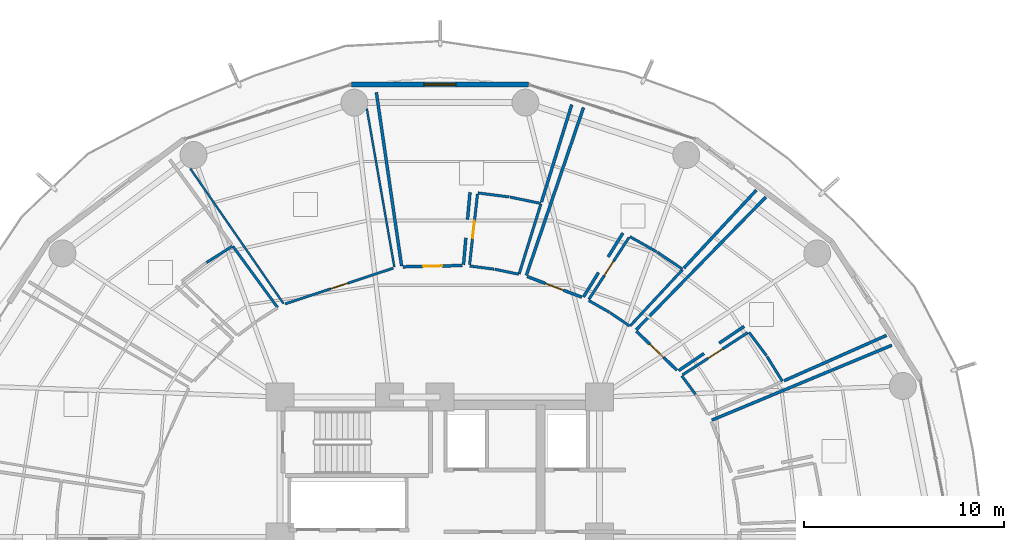
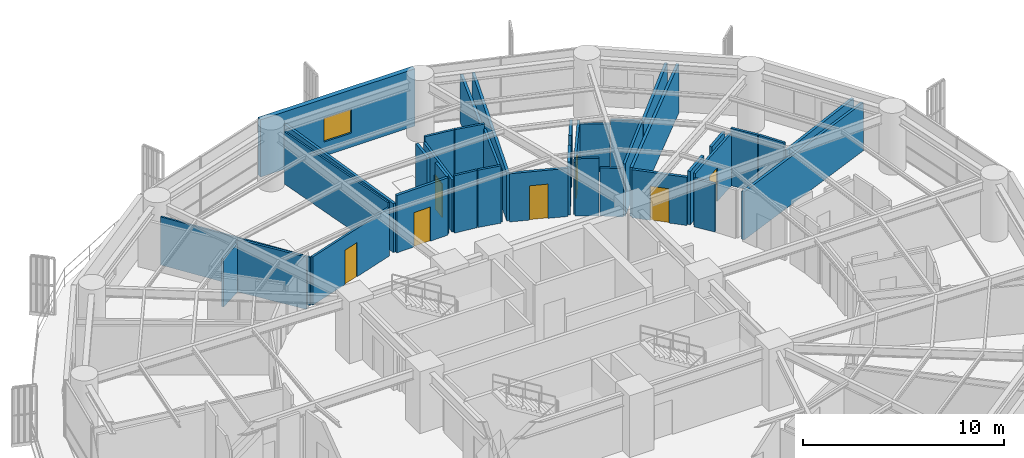
# One storey, part 30 of 35: 38 walls, 7 doors, 1 window, 8 openings.
"""IFC4 building model written with IfcOpenShell, lengths in metres."""

from ifc_helpers import new_model, si_unit, direction, frame, frame_2d, origin, place, context, subcontext, project, spatial, rectangle, extrude, material, layer, layer_set, type_object, element, fill, save


model = new_model("IFC4")

# Units and contexts
model_context = context("Model", 3, precision=1e-05, world=origin(), true_north=direction((0.0, 1.0)))
body_context = subcontext(model_context, "Body", "Model", "MODEL_VIEW")
ifc_project = project(units=[si_unit("LENGTHUNIT", "METRE"), si_unit("AREAUNIT", "SQUARE_METRE"), si_unit("VOLUMEUNIT", "CUBIC_METRE"), si_unit("PLANEANGLEUNIT", "RADIAN"), si_unit("MASSUNIT", "GRAM", prefix="KILO")], contexts=[model_context])

# Site, building, storey
site_placement = place(None, origin())
site = spatial("IfcSite", under=ifc_project, at=site_placement, CompositionType="ELEMENT")
building_placement = place(site_placement, origin())
building = spatial("IfcBuilding", under=site, at=building_placement, Name="Kelanora Arch Commons", CompositionType="ELEMENT")
storey_placement = place(building_placement, frame((0.0, 0.0, 91.35009765625)))
storey = spatial("IfcBuildingStorey", under=building, at=storey_placement, Name="L23", CompositionType="ELEMENT", Elevation=91.35009765625)

# Wall, opening, door
ifc_material_1 = material(Name="Autoclaved aerated concrete blockwork with fire plaster", Category="masonry")
ifc_layer_1 = layer(ifc_material_1, 0.14990234375)
ifc_layer_set_1 = layer_set([ifc_layer_1], Name="Autoclaved aerated concrete blockwork with fire plaster")
wall_type_1 = type_object("IfcWallType", Name="W-COMP-150", PredefinedType="PARTITIONING", material=ifc_layer_set_1)
wall_1_placement = place(storey_placement, frame((85.881591796875, 66.33740234375, 0.0), z_axis=(0.0, 0.0, 1.0), x_axis=(-0.721698326825, 0.692207718144, 0.0)))
wall_1 = element("IfcWall", 1, at=wall_1_placement, inside=storey, type_object=wall_type_1, Name="Co-Living Studio L23-01 Entry Partition", PredefinedType="PARTITIONING", context=body_context, shape_type="SweptSolid", body=[
    extrude(rectangle(XDim=2.822998046875, YDim=0.14990234375, at=frame_2d((1.41162109375, 0.0))), origin(), (0.0, 0.0, 1.0), 2.9248046875),
])
opening_1_placement = place(wall_1_placement, frame((0.93603515625, 0.0, 0.0)))
opening_1 = element("IfcOpeningElement", 2, at=opening_1_placement, cuts=wall_1, Name="Opening D-CLU1", PredefinedType="OPENING", context=body_context, shape_type="SweptSolid", body=[
    extrude(rectangle(XDim=0.949951171875, YDim=2.080078125, at=frame_2d((0.47509765625, 1.0400390625))), frame((0.0, 0.0849609375, 0.0), z_axis=(0.0, -1.0, 0.0), x_axis=(1.0, 0.0, 0.0)), (0.0, 0.0, 1.0), 0.169921875),
])
ifc_material_2 = material(Name="Solid-core acoustic timber cluster entry fire door", Category="wood")
door_type_1 = type_object("IfcDoorType", Name="D-CLU-95", OperationType="NOTDEFINED", PredefinedType="DOOR", material=ifc_material_2)
door_1_placement = place(opening_1_placement, origin())
door_1 = element("IfcDoor", 3, at=door_1_placement, inside=storey, type_object=door_type_1, Name="Co-Living Studio L23-01 Door", OperationType="SINGLE_SWING_LEFT", OverallHeight=2.080078125, OverallWidth=0.949951171875, PredefinedType="DOOR", context=body_context, shape_type="SweptSolid", body=[
    extrude(rectangle(XDim=0.949951171875, YDim=2.080078125, at=frame_2d((0.47509765625, 1.0400390625))), frame((0.0, 0.02490234375, 0.0), z_axis=(0.0, -1.0, 0.0), x_axis=(1.0, 0.0, 0.0)), (0.0, 0.0, 1.0), 0.050048828125),
])
fill(opening_1, door_1)

wall_2_placement = place(storey_placement, frame((81.116943359375, 69.999267578125, 0.0), z_axis=(0.0, 0.0, 1.0), x_axis=(-0.935632349103, 0.352976071868, 0.0)))
wall_2 = element("IfcWall", 4, at=wall_2_placement, inside=storey, type_object=wall_type_1, Name="Co-Living Studio L23-02 Entry Partition", PredefinedType="PARTITIONING", context=body_context, shape_type="SweptSolid", body=[
    extrude(rectangle(XDim=2.9306640625, YDim=0.14990234375, at=frame_2d((1.46533203125, 0.0))), origin(), (0.0, 0.0, 1.0), 2.9248046875),
])
opening_2_placement = place(wall_2_placement, frame((0.989990234375, 0.0, 0.0)))
opening_2 = element("IfcOpeningElement", 5, at=opening_2_placement, cuts=wall_2, Name="Opening D-CLU1", PredefinedType="OPENING", context=body_context, shape_type="SweptSolid", body=[
    extrude(rectangle(XDim=0.949951171875, YDim=2.080078125, at=frame_2d((0.47509765625, 1.0400390625))), frame((0.0, 0.0849609375, 0.0), z_axis=(0.0, -1.0, 0.0), x_axis=(1.0, 0.0, 0.0)), (0.0, 0.0, 1.0), 0.169921875),
])
door_2_placement = place(opening_2_placement, origin())
door_2 = element("IfcDoor", 6, at=door_2_placement, inside=storey, type_object=door_type_1, Name="Co-Living Studio L23-02 Door", OperationType="SINGLE_SWING_LEFT", OverallHeight=2.080078125, OverallWidth=0.949951171875, PredefinedType="DOOR", context=body_context, shape_type="SweptSolid", body=[
    extrude(rectangle(XDim=0.949951171875, YDim=2.080078125, at=frame_2d((0.47509765625, 1.0400390625))), frame((0.0, 0.02490234375, 0.0), z_axis=(0.0, -1.0, 0.0), x_axis=(1.0, 0.0, 0.0)), (0.0, 0.0, 1.0), 0.050048828125),
])
fill(opening_2, door_2)

wall_3_placement = place(storey_placement, frame((75.12109375, 71.586669921875, 0.0), z_axis=(0.0, 0.0, 1.0), x_axis=(-0.999757617916, -0.022016026426, 0.0)))
wall_3 = element("IfcWall", 7, at=wall_3_placement, inside=storey, type_object=wall_type_1, Name="Co-Living Studio L23-03 Entry Partition", PredefinedType="PARTITIONING", context=body_context, shape_type="SweptSolid", body=[
    extrude(rectangle(XDim=2.971923828125, YDim=0.14990234375, at=frame_2d((1.48583984375, 0.0))), origin(), (0.0, 0.0, 1.0), 3.47998046875),
])
opening_3_placement = place(wall_3_placement, frame((1.010986328125, 0.0, 0.0)))
opening_3 = element("IfcOpeningElement", 8, at=opening_3_placement, cuts=wall_3, Name="Opening D-CLU1", PredefinedType="OPENING", context=body_context, shape_type="SweptSolid", body=[
    extrude(rectangle(XDim=0.949951171875, YDim=2.080078125, at=frame_2d((0.47509765625, 1.0400390625))), frame((0.0, 0.0849609375, 0.0), z_axis=(0.0, -1.0, 0.0), x_axis=(1.0, 0.0, 0.0)), (0.0, 0.0, 1.0), 0.169921875),
])
door_3_placement = place(opening_3_placement, origin())
door_3 = element("IfcDoor", 9, at=door_3_placement, inside=storey, type_object=door_type_1, Name="Co-Living Studio L23-03 Door", OperationType="SINGLE_SWING_LEFT", OverallHeight=2.080078125, OverallWidth=0.949951171875, PredefinedType="DOOR", context=body_context, shape_type="SweptSolid", body=[
    extrude(rectangle(XDim=0.949951171875, YDim=2.080078125, at=frame_2d((0.47509765625, 1.0400390625))), frame((0.0, 0.02490234375, 0.0), z_axis=(0.0, -1.0, 0.0), x_axis=(1.0, 0.0, 0.0)), (0.0, 0.0, 1.0), 0.050048828125),
])
fill(opening_3, door_3)

# Walls
wall_4_placement = place(storey_placement, frame((83.828857421875, 68.361572265625, 0.0), z_axis=(0.0, 0.0, 1.0), x_axis=(0.698749209364, 0.715366718833, 0.0)))
element("IfcWall", 10, at=wall_4_placement, inside=storey, type_object=wall_type_1, Name="Co-Living Studio L23-01 Enclosure Partition 2", PredefinedType="PARTITIONING", context=body_context, shape_type="SweptSolid", body=[
    extrude(rectangle(XDim=9.2998046875, YDim=0.14990234375, at=frame_2d((4.64990234375, 0.0))), origin(), (0.0, 0.0, 1.0), 2.974853515625),
])
wall_5_placement = place(storey_placement, frame((96.369384765625, 68.084716796875, 0.0), z_axis=(0.0, 0.0, 1.0), x_axis=(-0.914319955381, -0.404992616219, 0.0)))
element("IfcWall", 11, at=wall_5_placement, inside=storey, type_object=wall_type_1, Name="Co-Living Studio L23-01 Enclosure Partition 5", PredefinedType="PARTITIONING", context=body_context, shape_type="SweptSolid", body=[
    extrude(rectangle(XDim=5.615966796875, YDim=0.14990234375, at=frame_2d((2.80810546875, 0.0))), origin(), (0.0, 0.0, 1.0), 2.974853515625),
])
wall_6_placement = place(storey_placement, frame((89.240966796875, 68.53662109375, 0.0), z_axis=(0.0, 0.0, 1.0), x_axis=(-0.828582854192, -0.559866460631, 0.0)))
element("IfcWall", 12, at=wall_6_placement, inside=storey, type_object=wall_type_1, Name="Co-Living Studio L23-01 Enclosure Partition 7", PredefinedType="PARTITIONING", context=body_context, shape_type="SweptSolid", body=[
    extrude(rectangle(XDim=1.501708984375, YDim=0.14990234375, at=frame_2d((0.7509765625, 0.0))), origin(), (0.0, 0.0, 1.0), 3.1748046875),
])
wall_7_placement = place(storey_placement, frame((87.23388671875, 67.1806640625, 0.0), z_axis=(0.0, 0.0, 1.0), x_axis=(-0.828521381114, -0.559957427879, 0.0)))
element("IfcWall", 13, at=wall_7_placement, inside=storey, type_object=wall_type_1, Name="Co-Living Studio L23-01 Enclosure Partition 7", PredefinedType="PARTITIONING", context=body_context, shape_type="SweptSolid", body=[
    extrude(rectangle(XDim=1.5400390625, YDim=0.14990234375, at=frame_2d((0.77001953125, 0.0))), origin(), (0.0, 0.0, 1.0), 3.23486328125),
])
wall_8_placement = place(storey_placement, frame((78.331787109375, 71.093017578125, 0.0), z_axis=(0.0, 0.0, 1.0), x_axis=(0.322500856516, 0.946569172088, 0.0)))
element("IfcWall", 14, at=wall_8_placement, inside=storey, type_object=wall_type_1, Name="Co-Living Studio L23-02 Enclosure Partition 2", PredefinedType="PARTITIONING", context=body_context, shape_type="SweptSolid", body=[
    extrude(rectangle(XDim=8.875244140625, YDim=0.14990234375, at=frame_2d((4.4375, 0.0))), origin(), (0.0, 0.0, 1.0), 2.9248046875),
])
wall_9_placement = place(storey_placement, frame((89.85791015625, 75.36669921875, 0.0), z_axis=(0.0, 0.0, 1.0), x_axis=(-0.680841843483, -0.732430463704, 0.0)))
element("IfcWall", 15, at=wall_9_placement, inside=storey, type_object=wall_type_1, Name="Co-Living Studio L23-02 Enclosure Partition 5", PredefinedType="PARTITIONING", context=body_context, shape_type="SweptSolid", body=[
    extrude(rectangle(XDim=5.343017578125, YDim=0.14990234375, at=frame_2d((2.67138671875, 0.0))), origin(), (0.0, 0.0, 1.0), 2.974853515625),
])
wall_10_placement = place(storey_placement, frame((83.1669921875, 73.2099609375, 0.0), z_axis=(0.0, 0.0, 1.0), x_axis=(-0.525107327047, -0.8510360128, 0.0)))
element("IfcWall", 16, at=wall_10_placement, inside=storey, type_object=wall_type_1, Name="Co-Living Studio L23-02 Enclosure Partition 7", PredefinedType="PARTITIONING", context=body_context, shape_type="SweptSolid", body=[
    extrude(rectangle(XDim=1.40234375, YDim=0.14990234375, at=frame_2d((0.701171875, 0.0))), origin(), (0.0, 0.0, 1.0), 3.1748046875),
])
wall_11_placement = place(storey_placement, frame((81.947509765625, 71.2333984375, 0.0), z_axis=(0.0, 0.0, 1.0), x_axis=(-0.52498935376, -0.851108793539, 0.0)))
element("IfcWall", 17, at=wall_11_placement, inside=storey, type_object=wall_type_1, Name="Co-Living Studio L23-02 Enclosure Partition 7", PredefinedType="PARTITIONING", context=body_context, shape_type="SweptSolid", body=[
    extrude(rectangle(XDim=1.43505859375, YDim=0.14990234375, at=frame_2d((0.717529296875, 0.0))), origin(), (0.0, 0.0, 1.0), 3.23486328125),
])
wall_12_placement = place(storey_placement, frame((72.084228515625, 71.5595703125, 0.0), z_axis=(0.0, 0.0, 1.0), x_axis=(-0.143952208647, 0.989584640961, 0.0)))
element("IfcWall", 18, at=wall_12_placement, inside=storey, type_object=wall_type_1, Name="Co-Living Studio L23-03 Enclosure Partition 2", PredefinedType="PARTITIONING", context=body_context, shape_type="SweptSolid", body=[
    extrude(rectangle(XDim=8.790283203125, YDim=0.14990234375, at=frame_2d((4.39501953125, 0.0))), origin(), (0.0, 0.0, 1.0), 2.974853515625),
])
wall_13_placement = place(storey_placement, frame((80.606201171875, 79.644775390625, 0.0), z_axis=(0.0, 0.0, 1.0), x_axis=(-0.2966895532, -0.954973983427, 0.0)))
element("IfcWall", 19, at=wall_13_placement, inside=storey, type_object=wall_type_1, Name="Co-Living Studio L23-03 Enclosure Partition 5", PredefinedType="PARTITIONING", context=body_context, shape_type="SweptSolid", body=[
    extrude(rectangle(XDim=5.104248046875, YDim=0.14990234375, at=frame_2d((2.55224609375, 0.0))), origin(), (0.0, 0.0, 1.0), 2.9248046875),
])
wall_14_placement = place(storey_placement, frame((75.50830078125, 75.253173828125, 0.0), z_axis=(0.0, 0.0, 1.0), x_axis=(-0.088846600374, -0.996045321058, 0.0)))
element("IfcWall", 20, at=wall_14_placement, inside=storey, type_object=wall_type_1, Name="Co-Living Studio L23-03 Enclosure Partition 7", PredefinedType="PARTITIONING", context=body_context, shape_type="SweptSolid", body=[
    extrude(rectangle(XDim=1.368408203125, YDim=0.14990234375, at=frame_2d((0.68408203125, 0.0))), origin(), (0.0, 0.0, 1.0), 3.1748046875),
])
wall_15_placement = place(storey_placement, frame((75.3046875, 72.973388671875, 0.0), z_axis=(0.0, 0.0, 1.0), x_axis=(-0.088906327267, -0.996039991653, 0.0)))
element("IfcWall", 21, at=wall_15_placement, inside=storey, type_object=wall_type_1, Name="Co-Living Studio L23-03 Enclosure Partition 7", PredefinedType="PARTITIONING", context=body_context, shape_type="SweptSolid", body=[
    extrude(rectangle(XDim=1.35107421875, YDim=0.14990234375, at=frame_2d((0.675537109375, 0.0))), origin(), (0.0, 0.0, 1.0), 3.47998046875),
])
wall_16_placement = place(storey_placement, frame((87.625, 63.84033203125, 0.0), z_axis=(0.0, 0.0, 1.0), x_axis=(0.92321744991, 0.384277946521, 0.0)))
element("IfcWall", 22, at=wall_16_placement, inside=storey, type_object=wall_type_1, Name="Co-Living Studio L23-15 Enclosure Partition 2", PredefinedType="PARTITIONING", context=body_context, shape_type="SweptSolid", body=[
    extrude(rectangle(XDim=9.76171875, YDim=0.14990234375, at=frame_2d((4.880859375, 0.0))), origin(), (0.0, 0.0, 1.0), 2.9248046875),
])

# Wall, opening, window
ifc_material_3 = material(Name="Precast concrete C40/50 with terracotta rainscreen", Category="masonry")
ifc_layer_2 = layer(ifc_material_3, 0.260009765625)
ifc_layer_set_2 = layer_set([ifc_layer_2], Name="Precast concrete C40/50 with terracotta rainscreen")
wall_type_2 = type_object("IfcWallType", Name="W-EXT-TC", PredefinedType="SOLIDWALL", material=ifc_layer_set_2)
wall_17_placement = place(storey_placement, frame((78.430419921875, 80.650634765625, 0.0), z_axis=(0.0, 0.0, 1.0), x_axis=(-1.0, 0.0, 0.0)))
wall_17 = element("IfcWall", 23, at=wall_17_placement, inside=storey, type_object=wall_type_2, Name="Terracotta Exterior Wall L23-B04", PredefinedType="SOLIDWALL", context=body_context, shape_type="SweptSolid", body=[
    extrude(rectangle(XDim=8.86083984375, YDim=0.260009765625, at=frame_2d((4.430419921875, 0.0))), origin(), (0.0, 0.0, 1.0), 3.474853515625),
])
opening_4_placement = place(wall_17_placement, frame((3.6298828125, 0.0, 0.85009765625)))
opening_4 = element("IfcOpeningElement", 24, at=opening_4_placement, cuts=wall_17, Name="Opening WN-01", PredefinedType="OPENING", context=body_context, shape_type="SweptSolid", body=[
    extrude(rectangle(XDim=1.60009765625, YDim=1.449951171875, at=frame_2d((0.800048828125, 0.72509765625))), frame((0.0, 0.14013671875, 0.0), z_axis=(0.0, -1.0, 0.0), x_axis=(1.0, 0.0, 0.0)), (0.0, 0.0, 1.0), 0.280029296875),
])
ifc_material_4 = material(Name="Terracotta-anodised aluminium frame with operable low-E glazing", Category="masonry")
window_type = type_object("IfcWindowType", Name="WIN-CL-18", PartitioningType="DOUBLE_PANEL_VERTICAL", PredefinedType="WINDOW", material=ifc_material_4)
window_placement = place(opening_4_placement, origin())
window = element("IfcWindow", 25, at=window_placement, inside=storey, type_object=window_type, Name="Co-Living Operable Window L23-B04", OverallHeight=1.449951171875, OverallWidth=1.60009765625, PartitioningType="SINGLE_PANEL", PredefinedType="WINDOW", context=body_context, shape_type="SweptSolid", body=[
    extrude(rectangle(XDim=1.60009765625, YDim=1.449951171875, at=frame_2d((0.800048828125, 0.72509765625))), frame((0.0, 0.030029296875, 0.0), z_axis=(0.0, -1.0, 0.0), x_axis=(1.0, 0.0, 0.0)), (0.0, 0.0, 1.0), 0.06005859375),
])
fill(opening_4, window)

# Walls
ifc_material_5 = material(Name="Lightweight fire-rated acoustic stud partition")
ifc_layer_3 = layer(ifc_material_5, 0.10009765625)
ifc_layer_set_3 = layer_set([ifc_layer_3], Name="Lightweight fire-rated acoustic stud partition")
wall_type_3 = type_object("IfcWallType", Name="W-PART-100", PredefinedType="PARTITIONING", material=ifc_layer_set_3)
wall_18_placement = place(storey_placement, frame((66.169189453125, 69.678955078125, 0.0), z_axis=(0.0, 0.0, 1.0), x_axis=(-0.568250117639, 0.822855882766, 0.0)))
element("IfcWall", 26, at=wall_18_placement, inside=storey, type_object=wall_type_3, Name="Communal Dining and Social Hall L23-04 Enclosure Partition 2", PredefinedType="PARTITIONING", context=body_context, shape_type="SweptSolid", body=[
    extrude(rectangle(XDim=8.216796875, YDim=0.10009765625, at=frame_2d((4.1083984375, 0.0))), origin(), (0.0, 0.0, 1.0), 2.9248046875),
])
wall_19_placement = place(storey_placement, frame((70.342529296875, 79.435791015625, 0.0), z_axis=(0.0, 0.0, 1.0), x_axis=(0.171306583965, -0.985217769983, 0.0)))
element("IfcWall", 27, at=wall_19_placement, inside=storey, type_object=wall_type_3, Name="Communal Dining and Social Hall L23-04 Enclosure Partition 4", PredefinedType="PARTITIONING", context=body_context, shape_type="SweptSolid", body=[
    extrude(rectangle(XDim=8.042236328125, YDim=0.10009765625, at=frame_2d((4.02099609375, 0.0))), origin(), (0.0, 0.0, 1.0), 3.1748046875),
])

# Wall, opening, door
ifc_material_6 = material(Name="Acoustic twin-stud fire-rated gypsum partition")
ifc_layer_4 = layer(ifc_material_6, 0.1201171875)
ifc_layer_set_4 = layer_set([ifc_layer_4], Name="Acoustic twin-stud fire-rated gypsum partition")
wall_type_4 = type_object("IfcWallType", Name="W-PART-120", PredefinedType="PARTITIONING", material=ifc_layer_set_4)
wall_20_placement = place(storey_placement, frame((71.669921875, 71.4541015625, 0.0), z_axis=(0.0, 0.0, 1.0), x_axis=(-0.949607265123, -0.313442246716, 0.0)))
wall_20 = element("IfcWall", 28, at=wall_20_placement, inside=storey, type_object=wall_type_4, Name="Communal Dining and Social Hall L23-04 Entry Partition", PredefinedType="PARTITIONING", context=body_context, shape_type="SweptSolid", body=[
    extrude(rectangle(XDim=5.70849609375, YDim=0.1201171875, at=frame_2d((2.854248046875, 0.0))), origin(), (0.0, 0.0, 1.0), 2.9248046875),
])
opening_5_placement = place(wall_20_placement, frame((2.404052734375, 0.0, 0.0)))
opening_5 = element("IfcOpeningElement", 29, at=opening_5_placement, cuts=wall_20, Name="Opening D-RM1", PredefinedType="OPENING", context=body_context, shape_type="SweptSolid", body=[
    extrude(rectangle(XDim=0.89990234375, YDim=2.080078125, at=frame_2d((0.449951171875, 1.0400390625))), frame((0.0, 0.070068359375, 0.0), z_axis=(0.0, -1.0, 0.0), x_axis=(1.0, 0.0, 0.0)), (0.0, 0.0, 1.0), 0.14013671875),
])
ifc_material_7 = material(Name="Acoustic fire-rated timber study and lounge door", Category="wood")
door_type_2 = type_object("IfcDoorType", Name="D-ROOM-90", OperationType="NOTDEFINED", PredefinedType="DOOR", material=ifc_material_7)
door_4_placement = place(opening_5_placement, origin())
door_4 = element("IfcDoor", 30, at=door_4_placement, inside=storey, type_object=door_type_2, Name="Communal Dining and Social Hall L23-04 Door", OperationType="SINGLE_SWING_RIGHT", OverallHeight=2.080078125, OverallWidth=0.89990234375, PredefinedType="DOOR", context=body_context, shape_type="SweptSolid", body=[
    extrude(rectangle(XDim=0.89990234375, YDim=2.080078125, at=frame_2d((0.449951171875, 1.0400390625))), frame((0.0, 0.02490234375, 0.0), z_axis=(0.0, -1.0, 0.0), x_axis=(1.0, 0.0, 0.0)), (0.0, 0.0, 1.0), 0.050048828125),
])
fill(opening_5, door_4)

ifc_material_8 = material(Name="Moisture-resistant fire-rated cement-board plumbing wall")
ifc_layer_5 = layer(ifc_material_8, 0.1298828125)
ifc_layer_set_5 = layer_set([ifc_layer_5], Name="Moisture-resistant fire-rated cement-board plumbing wall")
wall_type_5 = type_object("IfcWallType", Name="W-WET-120", PredefinedType="PLUMBINGWALL", material=ifc_layer_set_5)
wall_21_placement = place(storey_placement, frame((86.156494140625, 66.110595703125, 0.0), z_axis=(0.0, 0.0, 1.0), x_axis=(0.839597088747, 0.543209654339, 0.0)))
wall_21 = element("IfcWall", 31, at=wall_21_placement, inside=storey, type_object=wall_type_5, Name="En-Suite Shower WC L23-01 Entry Partition", PredefinedType="PLUMBINGWALL", context=body_context, shape_type="SweptSolid", body=[
    extrude(rectangle(XDim=3.891357421875, YDim=0.1298828125, at=frame_2d((1.94580078125, 0.0))), origin(), (0.0, 0.0, 1.0), 3.1748046875),
])
opening_6_placement = place(wall_21_placement, frame((1.51611328125, 0.0, 0.0)))
opening_6 = element("IfcOpeningElement", 32, at=opening_6_placement, cuts=wall_21, Name="Opening D-BT1", PredefinedType="OPENING", context=body_context, shape_type="SweptSolid", body=[
    extrude(rectangle(XDim=0.860107421875, YDim=2.050048828125, at=frame_2d((0.43017578125, 1.02490234375))), frame((0.0, 0.074951171875, 0.0), z_axis=(0.0, -1.0, 0.0), x_axis=(1.0, 0.0, 0.0)), (0.0, 0.0, 1.0), 0.14990234375),
])
ifc_material_9 = material(Name="Moisture-sealed fire-rated accessible bathroom door")
door_type_3 = type_object("IfcDoorType", Name="D-BATH-85", OperationType="NOTDEFINED", PredefinedType="DOOR", material=ifc_material_9)
door_5_placement = place(opening_6_placement, origin())
door_5 = element("IfcDoor", 33, at=door_5_placement, inside=storey, type_object=door_type_3, Name="En-Suite Shower WC L23-01 Door", OperationType="SINGLE_SWING_RIGHT", OverallHeight=2.050048828125, OverallWidth=0.860107421875, PredefinedType="DOOR", context=body_context, shape_type="SweptSolid", body=[
    extrude(rectangle(XDim=0.860107421875, YDim=2.050048828125, at=frame_2d((0.43017578125, 1.02490234375))), frame((0.0, 0.02490234375, 0.0), z_axis=(0.0, -1.0, 0.0), x_axis=(1.0, 0.0, 0.0)), (0.0, 0.0, 1.0), 0.050048828125),
])
fill(opening_6, door_5)

wall_22_placement = place(storey_placement, frame((81.469482421875, 69.8955078125, 0.0), z_axis=(0.0, 0.0, 1.0), x_axis=(0.543429789712, 0.839454622748, 0.0)))
wall_22 = element("IfcWall", 34, at=wall_22_placement, inside=storey, type_object=wall_type_5, Name="En-Suite Shower WC L23-02 Entry Partition", PredefinedType="PLUMBINGWALL", context=body_context, shape_type="SweptSolid", body=[
    extrude(rectangle(XDim=3.685791015625, YDim=0.1298828125, at=frame_2d((1.8427734375, 0.0))), origin(), (0.0, 0.0, 1.0), 3.1748046875),
])
opening_7_placement = place(wall_22_placement, frame((1.4130859375, 0.0, 0.0)))
opening_7 = element("IfcOpeningElement", 35, at=opening_7_placement, cuts=wall_22, Name="Opening D-BT1", PredefinedType="OPENING", context=body_context, shape_type="SweptSolid", body=[
    extrude(rectangle(XDim=0.860107421875, YDim=2.050048828125, at=frame_2d((0.43017578125, 1.02490234375))), frame((0.0, 0.074951171875, 0.0), z_axis=(0.0, -1.0, 0.0), x_axis=(1.0, 0.0, 0.0)), (0.0, 0.0, 1.0), 0.14990234375),
])
door_6_placement = place(opening_7_placement, origin())
door_6 = element("IfcDoor", 36, at=door_6_placement, inside=storey, type_object=door_type_3, Name="En-Suite Shower WC L23-02 Door", OperationType="SINGLE_SWING_RIGHT", OverallHeight=2.050048828125, OverallWidth=0.860107421875, PredefinedType="DOOR", context=body_context, shape_type="SweptSolid", body=[
    extrude(rectangle(XDim=0.860107421875, YDim=2.050048828125, at=frame_2d((0.43017578125, 1.02490234375))), frame((0.0, 0.02490234375, 0.0), z_axis=(0.0, -1.0, 0.0), x_axis=(1.0, 0.0, 0.0)), (0.0, 0.0, 1.0), 0.050048828125),
])
fill(opening_7, door_6)

wall_23_placement = place(storey_placement, frame((75.48779296875, 71.62353515625, 0.0), z_axis=(0.0, 0.0, 1.0), x_axis=(0.111853147635, 0.993724747284, 0.0)))
wall_23 = element("IfcWall", 37, at=wall_23_placement, inside=storey, type_object=wall_type_5, Name="En-Suite Shower WC L23-03 Entry Partition", PredefinedType="PLUMBINGWALL", context=body_context, shape_type="SweptSolid", body=[
    extrude(rectangle(XDim=3.562255859375, YDim=0.1298828125, at=frame_2d((1.78125, 0.0))), origin(), (0.0, 0.0, 1.0), 3.1748046875),
])
opening_8_placement = place(wall_23_placement, frame((1.35107421875, 0.0, 0.0)))
opening_8 = element("IfcOpeningElement", 38, at=opening_8_placement, cuts=wall_23, Name="Opening D-BT1", PredefinedType="OPENING", context=body_context, shape_type="SweptSolid", body=[
    extrude(rectangle(XDim=0.860107421875, YDim=2.050048828125, at=frame_2d((0.43017578125, 1.02490234375))), frame((0.0, 0.074951171875, 0.0), z_axis=(0.0, -1.0, 0.0), x_axis=(1.0, 0.0, 0.0)), (0.0, 0.0, 1.0), 0.14990234375),
])
door_7_placement = place(opening_8_placement, origin())
door_7 = element("IfcDoor", 39, at=door_7_placement, inside=storey, type_object=door_type_3, Name="En-Suite Shower WC L23-03 Door", OperationType="SINGLE_SWING_RIGHT", OverallHeight=2.050048828125, OverallWidth=0.860107421875, PredefinedType="DOOR", context=body_context, shape_type="SweptSolid", body=[
    extrude(rectangle(XDim=0.860107421875, YDim=2.050048828125, at=frame_2d((0.43017578125, 1.02490234375))), frame((0.0, 0.02490234375, 0.0), z_axis=(0.0, -1.0, 0.0), x_axis=(1.0, 0.0, 0.0)), (0.0, 0.0, 1.0), 0.050048828125),
])
fill(opening_8, door_7)

# Walls
wall_24_placement = place(storey_placement, frame((86.800048828125, 65.14208984375, 0.0), z_axis=(0.0, 0.0, 1.0), x_axis=(-0.595625136946, 0.803262532574, 0.0)))
element("IfcWall", 40, at=wall_24_placement, inside=storey, type_object=wall_type_5, Name="En-Suite Shower WC L23-01 Enclosure Partition 2", PredefinedType="PLUMBINGWALL", context=body_context, shape_type="SweptSolid", body=[
    extrude(rectangle(XDim=1.145263671875, YDim=0.1298828125, at=frame_2d((0.57275390625, 0.0))), origin(), (0.0, 0.0, 1.0), 2.9248046875),
])
wall_25_placement = place(storey_placement, frame((89.486083984375, 68.240966796875, 0.0), z_axis=(0.0, 0.0, 1.0), x_axis=(0.598215175904, -0.801335512328, 0.0)))
element("IfcWall", 41, at=wall_25_placement, inside=storey, type_object=wall_type_5, Name="En-Suite Shower WC L23-01 Enclosure Partition 4", PredefinedType="PLUMBINGWALL", context=body_context, shape_type="SweptSolid", body=[
    extrude(rectangle(XDim=1.467529296875, YDim=0.1298828125, at=frame_2d((0.73388671875, 0.0))), origin(), (0.0, 0.0, 1.0), 3.47998046875),
])
wall_26_placement = place(storey_placement, frame((90.386474609375, 67.031982421875, 0.0), z_axis=(0.0, 0.0, 1.0), x_axis=(0.525910281035, -0.850540049793, 0.0)))
element("IfcWall", 42, at=wall_26_placement, inside=storey, type_object=wall_type_5, Name="En-Suite Shower WC L23-01 Enclosure Partition 5", PredefinedType="PLUMBINGWALL", context=body_context, shape_type="SweptSolid", body=[
    extrude(rectangle(XDim=1.456787109375, YDim=0.1298828125, at=frame_2d((0.728515625, 0.0))), origin(), (0.0, 0.0, 1.0), 3.47998046875),
])
wall_27_placement = place(storey_placement, frame((83.50341796875, 68.558349609375, 0.0), z_axis=(0.0, 0.0, 1.0), x_axis=(-0.826715543633, 0.56262012932, 0.0)))
element("IfcWall", 43, at=wall_27_placement, inside=storey, type_object=wall_type_5, Name="En-Suite Shower WC L23-02 Enclosure Partition 1", PredefinedType="PLUMBINGWALL", context=body_context, shape_type="SweptSolid", body=[
    extrude(rectangle(XDim=1.184326171875, YDim=0.1298828125, at=frame_2d((0.59228515625, 0.0))), origin(), (0.0, 0.0, 1.0), 2.9248046875),
])
wall_28_placement = place(storey_placement, frame((82.490478515625, 69.245849609375, 0.0), z_axis=(0.0, 0.0, 1.0), x_axis=(-0.869224537935, 0.494417538778, 0.0)))
element("IfcWall", 44, at=wall_28_placement, inside=storey, type_object=wall_type_5, Name="En-Suite Shower WC L23-02 Enclosure Partition 2", PredefinedType="PLUMBINGWALL", context=body_context, shape_type="SweptSolid", body=[
    extrude(rectangle(XDim=1.192138671875, YDim=0.1298828125, at=frame_2d((0.59619140625, 0.0))), origin(), (0.0, 0.0, 1.0), 3.47998046875),
])
wall_29_placement = place(storey_placement, frame((83.5224609375, 73.0302734375, 0.0), z_axis=(0.0, 0.0, 1.0), x_axis=(0.870915556508, -0.491432694713, 0.0)))
element("IfcWall", 45, at=wall_29_placement, inside=storey, type_object=wall_type_5, Name="En-Suite Shower WC L23-02 Enclosure Partition 4", PredefinedType="PLUMBINGWALL", context=body_context, shape_type="SweptSolid", body=[
    extrude(rectangle(XDim=1.533203125, YDim=0.1298828125, at=frame_2d((0.7666015625, 0.0))), origin(), (0.0, 0.0, 1.0), 2.9248046875),
])
wall_30_placement = place(storey_placement, frame((84.8916015625, 72.255859375, 0.0), z_axis=(0.0, 0.0, 1.0), x_axis=(0.828476223524, -0.560024237917, 0.0)))
element("IfcWall", 46, at=wall_30_placement, inside=storey, type_object=wall_type_5, Name="En-Suite Shower WC L23-02 Enclosure Partition 5", PredefinedType="PLUMBINGWALL", context=body_context, shape_type="SweptSolid", body=[
    extrude(rectangle(XDim=1.5205078125, YDim=0.1298828125, at=frame_2d((0.76025390625, 0.0))), origin(), (0.0, 0.0, 1.0), 3.1748046875),
])
wall_31_placement = place(storey_placement, frame((86.154296875, 71.37841796875, 0.0), z_axis=(0.0, 0.0, 1.0), x_axis=(-0.681137169266, -0.732155828116, 0.0)))
element("IfcWall", 47, at=wall_31_placement, inside=storey, type_object=wall_type_5, Name="En-Suite Shower WC L23-02 Enclosure Partition 6", PredefinedType="PLUMBINGWALL", context=body_context, shape_type="SweptSolid", body=[
    extrude(rectangle(XDim=3.847412109375, YDim=0.1298828125, at=frame_2d((1.923828125, 0.0))), origin(), (0.0, 0.0, 1.0), 3.1748046875),
])
wall_32_placement = place(storey_placement, frame((77.9462890625, 71.151123046875, 0.0), z_axis=(0.0, 0.0, 1.0), x_axis=(-0.979121805859, 0.203274418684, 0.0)))
element("IfcWall", 48, at=wall_32_placement, inside=storey, type_object=wall_type_5, Name="En-Suite Shower WC L23-03 Enclosure Partition 1", PredefinedType="PLUMBINGWALL", context=body_context, shape_type="SweptSolid", body=[
    extrude(rectangle(XDim=1.218994140625, YDim=0.1298828125, at=frame_2d((0.609375, 0.0))), origin(), (0.0, 0.0, 1.0), 3.47998046875),
])
wall_33_placement = place(storey_placement, frame((76.713134765625, 71.405517578125, 0.0), z_axis=(0.0, 0.0, 1.0), x_axis=(-0.991848040681, 0.127426308891, 0.0)))
element("IfcWall", 49, at=wall_33_placement, inside=storey, type_object=wall_type_5, Name="En-Suite Shower WC L23-03 Enclosure Partition 2", PredefinedType="PLUMBINGWALL", context=body_context, shape_type="SweptSolid", body=[
    extrude(rectangle(XDim=1.222412109375, YDim=0.1298828125, at=frame_2d((0.611328125, 0.0))), origin(), (0.0, 0.0, 1.0), 3.47998046875),
])
wall_34_placement = place(storey_placement, frame((75.912841796875, 75.220458984375, 0.0), z_axis=(0.0, 0.0, 1.0), x_axis=(0.991898711333, -0.127031281405, 0.0)))
element("IfcWall", 50, at=wall_34_placement, inside=storey, type_object=wall_type_5, Name="En-Suite Shower WC L23-03 Enclosure Partition 4", PredefinedType="PLUMBINGWALL", context=body_context, shape_type="SweptSolid", body=[
    extrude(rectangle(XDim=1.573974609375, YDim=0.1298828125, at=frame_2d((0.787109375, 0.0))), origin(), (0.0, 0.0, 1.0), 3.47998046875),
])
wall_35_placement = place(storey_placement, frame((77.513671875, 75.013916015625, 0.0), z_axis=(0.0, 0.0, 1.0), x_axis=(0.979487788462, -0.201503529137, 0.0)))
element("IfcWall", 51, at=wall_35_placement, inside=storey, type_object=wall_type_5, Name="En-Suite Shower WC L23-03 Enclosure Partition 5", PredefinedType="PLUMBINGWALL", context=body_context, shape_type="SweptSolid", body=[
    extrude(rectangle(XDim=1.56787109375, YDim=0.1298828125, at=frame_2d((0.783935546875, 0.0))), origin(), (0.0, 0.0, 1.0), 3.47998046875),
])
wall_36_placement = place(storey_placement, frame((79.06298828125, 74.6748046875, 0.0), z_axis=(0.0, 0.0, 1.0), x_axis=(-0.296927892497, -0.954899903999, 0.0)))
element("IfcWall", 52, at=wall_36_placement, inside=storey, type_object=wall_type_5, Name="En-Suite Shower WC L23-03 Enclosure Partition 6", PredefinedType="PLUMBINGWALL", context=body_context, shape_type="SweptSolid", body=[
    extrude(rectangle(XDim=3.674560546875, YDim=0.1298828125, at=frame_2d((1.83740234375, 0.0))), origin(), (0.0, 0.0, 1.0), 3.1748046875),
])
wall_37_placement = place(storey_placement, frame((62.31591796875, 71.73779296875, 0.0), z_axis=(0.0, 0.0, 1.0), x_axis=(0.844925229622, 0.534884432703, 0.0)))
element("IfcWall", 53, at=wall_37_placement, inside=storey, type_object=wall_type_5, Name="En-Suite Shower WC L23-05 Enclosure Partition 5", PredefinedType="PLUMBINGWALL", context=body_context, shape_type="SweptSolid", body=[
    extrude(rectangle(XDim=1.5244140625, YDim=0.1298828125, at=frame_2d((0.76220703125, 0.0))), origin(), (0.0, 0.0, 1.0), 2.9248046875),
])
wall_38_placement = place(storey_placement, frame((63.6328125, 72.5478515625, 0.0), z_axis=(0.0, 0.0, 1.0), x_axis=(0.589656455867, -0.807654173551, 0.0)))
element("IfcWall", 54, at=wall_38_placement, inside=storey, type_object=wall_type_5, Name="En-Suite Shower WC L23-05 Enclosure Partition 6", PredefinedType="PLUMBINGWALL", context=body_context, shape_type="SweptSolid", body=[
    extrude(rectangle(XDim=3.791015625, YDim=0.1298828125, at=frame_2d((1.8955078125, 0.0))), origin(), (0.0, 0.0, 1.0), 3.1748046875),
])

save(model, "model.ifc")
